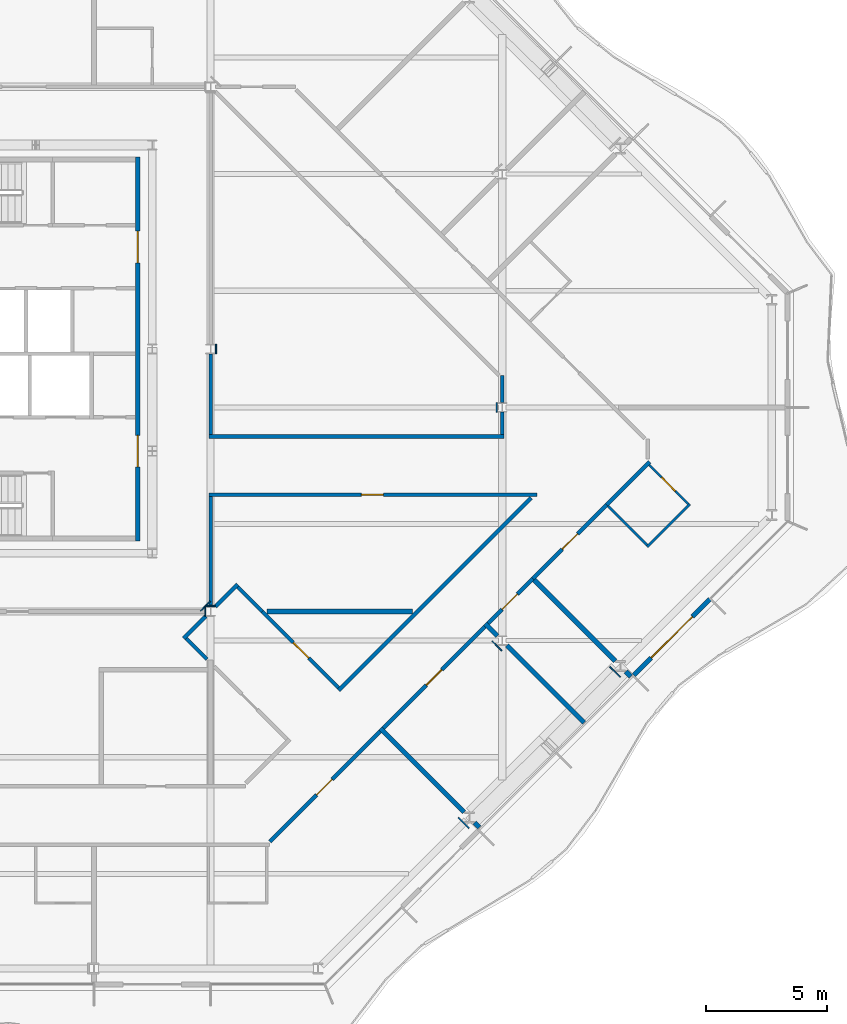
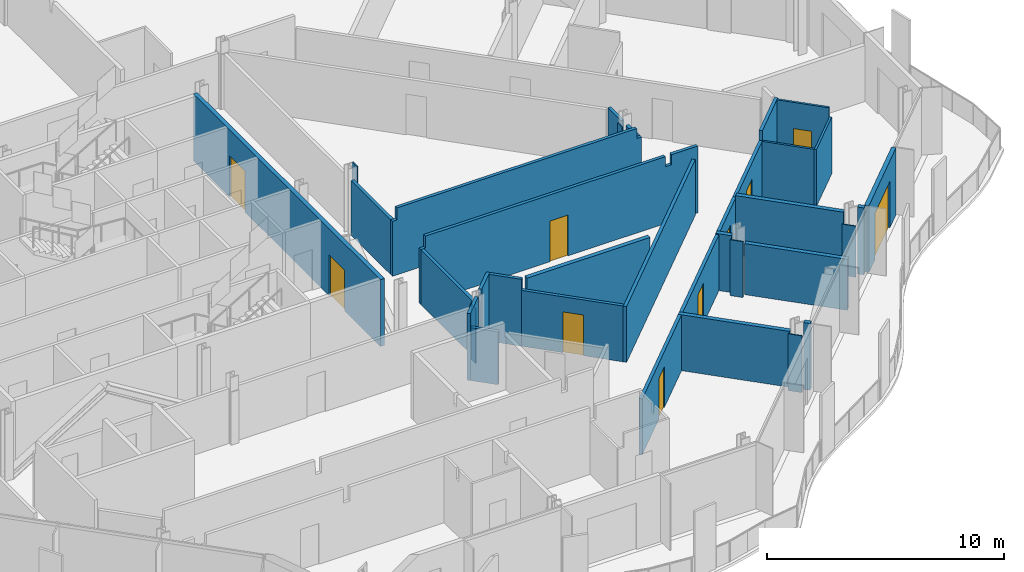
# One storey, part 9 of 17: 37 walls, 10 doors, 10 openings.
"""IFC4 building model written with IfcOpenShell, lengths in metres."""

from ifc_helpers import new_model, si_unit, direction, frame, frame_2d, origin, place, context, subcontext, project, spatial, polyline, rectangle, outline, extrude, material, layer, layer_set, type_object, element, fill, save


model = new_model("IFC4")

# Units and contexts
model_context = context("Model", 3, precision=1e-05, world=origin(), true_north=direction((0.0, 1.0)))
body_context = subcontext(model_context, "Body", "Model", "MODEL_VIEW")
ifc_project = project(units=[si_unit("LENGTHUNIT", "METRE"), si_unit("AREAUNIT", "SQUARE_METRE"), si_unit("VOLUMEUNIT", "CUBIC_METRE"), si_unit("PLANEANGLEUNIT", "RADIAN"), si_unit("MASSUNIT", "GRAM", prefix="KILO")], contexts=[model_context])

# Site, building, storey
site_placement = place(None, origin())
site = spatial("IfcSite", under=ifc_project, at=site_placement, CompositionType="ELEMENT")
building_placement = place(site_placement, origin())
building = spatial("IfcBuilding", under=site, at=building_placement, Name="Cairn Pilgrim Tower", CompositionType="ELEMENT")
storey_placement = place(building_placement, frame((0.0, 0.0, 232.199951171875)))
storey = spatial("IfcBuildingStorey", under=building, at=storey_placement, Name="L59", CompositionType="ELEMENT", Elevation=232.199951171875)

# Wall, opening, door
ifc_material_1 = material(Name="Bronze anodised aluminium insulated sandwich panel with mineral wool fill", Category="aluminium")
ifc_layer_1 = layer(ifc_material_1, 0.199951171875)
ifc_layer_set_1 = layer_set([ifc_layer_1], Name="BRONZE INFILL FRAME WALL 200")
wall_type_1 = type_object("IfcWallType", Name="BRONZE INFILL FRAME WALL 200", PredefinedType="NOTDEFINED", material=ifc_layer_set_1)
wall_1_placement = place(storey_placement, frame((36.6201171875, -11.0263671875, 0.0), z_axis=(0.0, 0.0, 1.0), x_axis=(0.707106781187, 0.707106781187, 0.0)))
wall_1 = element("IfcWall", 1, at=wall_1_placement, inside=storey, type_object=wall_type_1, Name="Bronze infill frame wall IW-SE5", PredefinedType="NOTDEFINED", context=body_context, shape_type="SweptSolid", body=[
    extrude(rectangle(XDim=4.430908203125, YDim=0.199951171875, at=frame_2d((2.21533203125, 0.0))), origin(), (0.0, 0.0, 1.0), 3.449951171875),
])
opening_1_placement = place(wall_1_placement, frame((1.01513671875, 0.0, 0.0)))
opening_1 = element("IfcOpeningElement", 2, at=opening_1_placement, cuts=wall_1, Name="Opening 5904B2", PredefinedType="OPENING", context=body_context, shape_type="SweptSolid", body=[
    extrude(rectangle(XDim=2.39990234375, YDim=2.39990234375, at=frame_2d((1.199951171875, 1.199951171875))), frame((0.0, 0.10986328125, 0.0), z_axis=(0.0, -1.0, 0.0), x_axis=(1.0, 0.0, 0.0)), (0.0, 0.0, 1.0), 0.219970703125),
])
ifc_material_2 = material(Name="Bronze anodised aluminium frame with tinted low-E glass", Category="aluminium")
door_type_1 = type_object("IfcDoorType", Name="BALCONY SLIDING DOOR 2400x2400", OperationType="DOUBLE_DOOR_SLIDING", PredefinedType="DOOR", material=ifc_material_2)
door_1_placement = place(opening_1_placement, origin())
door_1 = element("IfcDoor", 3, at=door_1_placement, inside=storey, type_object=door_type_1, Name="Balcony sliding door 5904B2", OperationType="SINGLE_SWING_LEFT", OverallHeight=2.39990234375, OverallWidth=2.39990234375, PredefinedType="DOOR", context=body_context, shape_type="SweptSolid", body=[
    extrude(rectangle(XDim=2.39990234375, YDim=2.39990234375, at=frame_2d((1.199951171875, 1.199951171875))), frame((0.0, 0.02490234375, 0.0), z_axis=(0.0, -1.0, 0.0), x_axis=(1.0, 0.0, 0.0)), (0.0, 0.0, 1.0), 0.050048828125),
])
fill(opening_1, door_1)

# Wall, openings, doors
ifc_material_3 = material(Name="Concrete C32/40", Category="concrete")
ifc_layer_2 = layer(ifc_material_3, 0.199951171875)
ifc_layer_set_2 = layer_set([ifc_layer_2], Name="CORE OUTER WALL 200 EI 120")
wall_type_2 = type_object("IfcWallType", Name="CORE OUTER WALL 200 EI 120", PredefinedType="SOLIDWALL", material=ifc_layer_set_2)
wall_2_placement = place(storey_placement, frame((16.199951171875, -5.5, 0.0), z_axis=(0.0, 0.0, 1.0), x_axis=(0.0, 1.0, 0.0)))
wall_2 = element("IfcWall", 4, at=wall_2_placement, inside=storey, type_object=wall_type_2, Name="CW:L59:V30", PredefinedType="SOLIDWALL", context=body_context, shape_type="SweptSolid", body=[
    extrude(rectangle(XDim=15.800048828125, YDim=0.199951171875, at=frame_2d((7.89990234375, 0.0))), origin(), (0.0, 0.0, 1.0), 3.449951171875),
])
opening_2_placement = place(wall_2_placement, frame((3.050048828125, 0.0, 0.0)))
opening_2 = element("IfcOpeningElement", 5, at=opening_2_placement, cuts=wall_2, Name="Opening CD-E1", PredefinedType="OPENING", context=body_context, shape_type="SweptSolid", body=[
    extrude(rectangle(XDim=1.300048828125, YDim=2.10009765625, at=frame_2d((0.64990234375, 1.050048828125))), frame((0.0, 0.10986328125, 0.0), z_axis=(0.0, -1.0, 0.0), x_axis=(1.0, 0.0, 0.0)), (0.0, 0.0, 1.0), 0.219970703125),
])
opening_3_placement = place(wall_2_placement, frame((11.449951171875, 0.0, 0.0)))
opening_3 = element("IfcOpeningElement", 6, at=opening_3_placement, cuts=wall_2, Name="Opening CD-E2", PredefinedType="OPENING", context=body_context, shape_type="SweptSolid", body=[
    extrude(rectangle(XDim=1.300048828125, YDim=2.10009765625, at=frame_2d((0.64990234375, 1.050048828125))), frame((0.0, 0.10986328125, 0.0), z_axis=(0.0, -1.0, 0.0), x_axis=(1.0, 0.0, 0.0)), (0.0, 0.0, 1.0), 0.219970703125),
])
ifc_material_4 = material(Name="Painted steel", Category="steel")
door_type_2 = type_object("IfcDoorType", Name="CORE LOBBY DOOR 1300x2100", OperationType="DOUBLE_DOOR_SINGLE_SWING", PredefinedType="DOOR", material=ifc_material_4)
door_2_placement = place(opening_2_placement, origin())
door_2 = element("IfcDoor", 7, at=door_2_placement, inside=storey, type_object=door_type_2, Name="CD-E1", OperationType="DOUBLE_DOOR_SINGLE_SWING", OverallHeight=2.10009765625, OverallWidth=1.300048828125, PredefinedType="DOOR", context=body_context, shape_type="SweptSolid", body=[
    extrude(rectangle(XDim=1.300048828125, YDim=2.10009765625, at=frame_2d((0.64990234375, 1.050048828125))), frame((0.0, 0.02490234375, 0.0), z_axis=(0.0, -1.0, 0.0), x_axis=(1.0, 0.0, 0.0)), (0.0, 0.0, 1.0), 0.050048828125),
])
fill(opening_2, door_2)
door_3_placement = place(opening_3_placement, origin())
door_3 = element("IfcDoor", 8, at=door_3_placement, inside=storey, type_object=door_type_2, Name="CD-E2", OperationType="DOUBLE_DOOR_SINGLE_SWING", OverallHeight=2.10009765625, OverallWidth=1.300048828125, PredefinedType="DOOR", context=body_context, shape_type="SweptSolid", body=[
    extrude(rectangle(XDim=1.300048828125, YDim=2.10009765625, at=frame_2d((0.64990234375, 1.050048828125))), frame((0.0, 0.02490234375, 0.0), z_axis=(0.0, -1.0, 0.0), x_axis=(1.0, 0.0, 0.0)), (0.0, 0.0, 1.0), 0.050048828125),
])
fill(opening_3, door_3)

# Walls
ifc_material_5 = material(Name="Gypsum partition")
ifc_layer_3 = layer(ifc_material_5, 0.10009765625)
ifc_layer_set_3 = layer_set([ifc_layer_3], Name="PARTITION 100 DRYWALL")
wall_type_3 = type_object("IfcWallType", Name="PARTITION 100 DRYWALL", PredefinedType="PARTITIONING", material=ifc_layer_set_3)
wall_3_placement = place(storey_placement, frame((37.16455078125, -5.673583984375, 0.0), z_axis=(0.0, 0.0, 1.0), x_axis=(-0.707106781187, 0.707106781187, 0.0)))
element("IfcWall", 9, at=wall_3_placement, inside=storey, type_object=wall_type_3, Name="PARTITION W042", PredefinedType="PARTITIONING", context=body_context, shape_type="SweptSolid", body=[
    extrude(rectangle(XDim=2.27490234375, YDim=0.10009765625, at=frame_2d((1.137451171875, 0.0))), origin(), (0.0, 0.0, 1.0), 2.929931640625),
])
wall_4_placement = place(storey_placement, frame((37.16455078125, -5.744384765625, 0.0), z_axis=(0.0, 0.0, 1.0), x_axis=(0.707155609469, 0.707057949532, 0.0)))
element("IfcWall", 10, at=wall_4_placement, inside=storey, type_object=wall_type_3, Name="PARTITION W043", PredefinedType="PARTITIONING", context=body_context, shape_type="SweptSolid", body=[
    extrude(rectangle(XDim=2.5, YDim=0.10009765625, at=frame_2d((1.25, 0.0))), origin(), (0.0, 0.0, 1.0), 2.929931640625),
])

# Wall, opening, door
wall_5_placement = place(storey_placement, frame((38.861572265625, -3.9765625, 0.0), z_axis=(0.0, 0.0, 1.0), x_axis=(-0.707106781187, 0.707106781187, 0.0)))
wall_5 = element("IfcWall", 11, at=wall_5_placement, inside=storey, type_object=wall_type_3, Name="PARTITION W045", PredefinedType="PARTITIONING", context=body_context, shape_type="SweptSolid", body=[
    extrude(rectangle(XDim=2.27490234375, YDim=0.10009765625, at=frame_2d((1.137451171875, 0.0))), origin(), (0.0, 0.0, 1.0), 3.449951171875),
])
opening_4_placement = place(wall_5_placement, frame((0.75, 0.0, 0.0)))
opening_4 = element("IfcOpeningElement", 12, at=opening_4_placement, cuts=wall_5, Name="Opening 5904A", PredefinedType="OPENING", context=body_context, shape_type="SweptSolid", body=[
    extrude(rectangle(XDim=0.800048828125, YDim=2.10009765625, at=frame_2d((0.39990234375, 1.050048828125))), frame((0.0, 0.06005859375, 0.0), z_axis=(0.0, -1.0, 0.0), x_axis=(1.0, 0.0, 0.0)), (0.0, 0.0, 1.0), 0.1201171875),
])
ifc_material_6 = material(Name="Timber door leaf", Category="wood")
door_type_3 = type_object("IfcDoorType", Name="WC DOOR 800x2100", OperationType="NOTDEFINED", PredefinedType="DOOR", material=ifc_material_6)
door_4_placement = place(opening_4_placement, frame((0.800048828125, 0.0, 0.0), z_axis=(0.0, 0.0, 1.0), x_axis=(-1.0, 0.0, 0.0)))
door_4 = element("IfcDoor", 13, at=door_4_placement, inside=storey, type_object=door_type_3, Name="DOOR 5904A", OperationType="SINGLE_SWING_LEFT", OverallHeight=2.10009765625, OverallWidth=0.800048828125, PredefinedType="DOOR", context=body_context, shape_type="SweptSolid", body=[
    extrude(rectangle(XDim=0.800048828125, YDim=2.10009765625, at=frame_2d((0.39990234375, 1.050048828125))), frame((0.0, 0.02490234375, 0.0), z_axis=(0.0, -1.0, 0.0), x_axis=(1.0, 0.0, 0.0)), (0.0, 0.0, 1.0), 0.050048828125),
])
fill(opening_4, door_4)

ifc_layer_4 = layer(ifc_material_5, 0.14990234375)
ifc_layer_set_4 = layer_set([ifc_layer_4], Name="PARTITION 150 DRYWALL EI 60")
wall_type_4 = type_object("IfcWallType", Name="PARTITION 150 DRYWALL EI 60", PredefinedType="PARTITIONING", material=ifc_layer_set_4)
wall_6_placement = place(storey_placement, frame((21.64306640625, -17.8720703125, 0.0), z_axis=(0.0, 0.0, 1.0), x_axis=(0.707106781187, 0.707106781187, 0.0)))
wall_6 = element("IfcWall", 14, at=wall_6_placement, inside=storey, type_object=wall_type_4, Name="PARTITION W009", PredefinedType="PARTITIONING", context=body_context, shape_type="SweptSolid", body=[
    extrude(rectangle(XDim=6.408203125, YDim=0.14990234375, at=frame_2d((3.2041015625, 0.0))), origin(), (0.0, 0.0, 1.0), 2.880126953125),
])
opening_5_placement = place(wall_6_placement, frame((2.713134765625, 0.0, 0.0)))
opening_5 = element("IfcOpeningElement", 15, at=opening_5_placement, cuts=wall_6, Name="Opening 5901", PredefinedType="OPENING", context=body_context, shape_type="SweptSolid", body=[
    extrude(rectangle(XDim=0.89990234375, YDim=2.10009765625, at=frame_2d((0.449951171875, 1.050048828125))), frame((0.0, 0.0849609375, 0.0), z_axis=(0.0, -1.0, 0.0), x_axis=(1.0, 0.0, 0.0)), (0.0, 0.0, 1.0), 0.169921875),
])
door_type_4 = type_object("IfcDoorType", Name="ROOM DOOR 900x2100 FD30S", OperationType="NOTDEFINED", PredefinedType="DOOR", material=ifc_material_6)
door_5_placement = place(opening_5_placement, frame((0.89990234375, 0.0, 0.0), z_axis=(0.0, 0.0, 1.0), x_axis=(-1.0, 0.0, 0.0)))
door_5 = element("IfcDoor", 16, at=door_5_placement, inside=storey, type_object=door_type_4, Name="DOOR 5901", OperationType="SINGLE_SWING_LEFT", OverallHeight=2.10009765625, OverallWidth=0.89990234375, PredefinedType="DOOR", context=body_context, shape_type="SweptSolid", body=[
    extrude(rectangle(XDim=0.89990234375, YDim=2.10009765625, at=frame_2d((0.449951171875, 1.050048828125))), frame((0.0, 0.02490234375, 0.0), z_axis=(0.0, -1.0, 0.0), x_axis=(1.0, 0.0, 0.0)), (0.0, 0.0, 1.0), 0.050048828125),
])
fill(opening_5, door_5)

wall_7_placement = place(storey_placement, frame((26.315673828125, -13.19921875, 0.0), z_axis=(0.0, 0.0, 1.0), x_axis=(0.707024001185, 0.707189551498, 0.0)))
wall_7 = element("IfcWall", 17, at=wall_7_placement, inside=storey, type_object=wall_type_4, Name="PARTITION W020", PredefinedType="PARTITIONING", context=body_context, shape_type="SweptSolid", body=[
    extrude(rectangle(XDim=5.89892578125, YDim=0.14990234375, at=frame_2d((2.949462890625, 0.0))), origin(), (0.0, 0.0, 1.0), 2.880126953125),
])
opening_6_placement = place(wall_7_placement, frame((2.499755859375, 0.0, 0.0)))
opening_6 = element("IfcOpeningElement", 18, at=opening_6_placement, cuts=wall_7, Name="Opening 5902", PredefinedType="OPENING", context=body_context, shape_type="SweptSolid", body=[
    extrude(rectangle(XDim=0.89990234375, YDim=2.10009765625, at=frame_2d((0.449951171875, 1.050048828125))), frame((0.0, 0.0849609375, 0.0), z_axis=(0.0, -1.0, 0.0), x_axis=(1.0, 0.0, 0.0)), (0.0, 0.0, 1.0), 0.169921875),
])
door_type_5 = type_object("IfcDoorType", Name="SERVICE DOOR 900x2100 FD30S", OperationType="NOTDEFINED", PredefinedType="DOOR", material=ifc_material_6)
door_6_placement = place(opening_6_placement, frame((0.89990234375, 0.0, 0.0), z_axis=(0.0, 0.0, 1.0), x_axis=(-1.0, 0.0, 0.0)))
door_6 = element("IfcDoor", 19, at=door_6_placement, inside=storey, type_object=door_type_5, Name="DOOR 5902", OperationType="SINGLE_SWING_LEFT", OverallHeight=2.10009765625, OverallWidth=0.89990234375, PredefinedType="DOOR", context=body_context, shape_type="SweptSolid", body=[
    extrude(rectangle(XDim=0.89990234375, YDim=2.10009765625, at=frame_2d((0.449951171875, 1.050048828125))), frame((0.0, 0.02490234375, 0.0), z_axis=(0.0, -1.0, 0.0), x_axis=(1.0, 0.0, 0.0)), (0.0, 0.0, 1.0), 0.050048828125),
])
fill(opening_6, door_6)

# Wall
wall_8_placement = place(storey_placement, frame((24.468017578125, -11.653076171875, 0.0), z_axis=(0.0, 0.0, 1.0), x_axis=(0.707095889299, 0.707117672906, 0.0)))
element("IfcWall", 20, at=wall_8_placement, inside=storey, type_object=wall_type_4, Name="PARTITION W023", PredefinedType="PARTITIONING", context=body_context, shape_type="SweptSolid", body=[
    extrude(rectangle(XDim=11.20751953125, YDim=0.14990234375, at=frame_2d((5.603759765625, 0.0))), origin(), (0.0, 0.0, 1.0), 2.880126953125),
])

# Wall, opening, door
wall_9_placement = place(storey_placement, frame((24.468017578125, -11.547119140625, 0.0), z_axis=(0.0, 0.0, 1.0), x_axis=(-0.707079353217, 0.707134208093, 0.0)))
wall_9 = element("IfcWall", 21, at=wall_9_placement, inside=storey, type_object=wall_type_4, Name="PARTITION W026", PredefinedType="PARTITIONING", context=body_context, shape_type="SweptSolid", body=[
    extrude(rectangle(XDim=4.45068359375, YDim=0.14990234375, at=frame_2d((2.225341796875, 0.0))), origin(), (0.0, 0.0, 1.0), 2.880126953125),
])
opening_7_placement = place(wall_9_placement, frame((1.738525390625, 0.0, 0.0)))
opening_7 = element("IfcOpeningElement", 22, at=opening_7_placement, cuts=wall_9, Name="Opening 5918", PredefinedType="OPENING", context=body_context, shape_type="SweptSolid", body=[
    extrude(rectangle(XDim=0.89990234375, YDim=2.10009765625, at=frame_2d((0.449951171875, 1.050048828125))), frame((0.0, 0.0849609375, 0.0), z_axis=(0.0, -1.0, 0.0), x_axis=(1.0, 0.0, 0.0)), (0.0, 0.0, 1.0), 0.169921875),
])
door_7_placement = place(opening_7_placement, frame((0.89990234375, 0.0, 0.0), z_axis=(0.0, 0.0, 1.0), x_axis=(-1.0, 0.0, 0.0)))
door_7 = element("IfcDoor", 23, at=door_7_placement, inside=storey, type_object=door_type_5, Name="DOOR 5918", OperationType="SINGLE_SWING_RIGHT", OverallHeight=2.10009765625, OverallWidth=0.89990234375, PredefinedType="DOOR", context=body_context, shape_type="SweptSolid", body=[
    extrude(rectangle(XDim=0.89990234375, YDim=2.10009765625, at=frame_2d((0.449951171875, 1.050048828125))), frame((0.0, 0.02490234375, 0.0), z_axis=(0.0, -1.0, 0.0), x_axis=(1.0, 0.0, 0.0)), (0.0, 0.0, 1.0), 0.050048828125),
])
fill(opening_7, door_7)

# Walls
wall_10_placement = place(storey_placement, frame((19.047119140625, -10.3681640625, 0.0), z_axis=(0.0, 0.0, 1.0), x_axis=(-0.707409718716, 0.706803713817, 0.0)))
element("IfcWall", 24, at=wall_10_placement, inside=storey, type_object=wall_type_4, Name="PARTITION W029", PredefinedType="PARTITIONING", context=body_context, shape_type="SweptSolid", body=[
    extrude(rectangle(XDim=1.20849609375, YDim=0.14990234375, at=frame_2d((0.604248046875, 0.0))), origin(), (0.0, 0.0, 1.0), 2.72998046875),
])
wall_11_placement = place(storey_placement, frame((18.0859375, -9.513916015625, 0.0), z_axis=(0.0, 0.0, 1.0), x_axis=(0.707106781187, 0.707106781187, 0.0)))
element("IfcWall", 25, at=wall_11_placement, inside=storey, type_object=wall_type_4, Name="PARTITION W031", PredefinedType="PARTITIONING", context=body_context, shape_type="SweptSolid", body=[
    extrude(rectangle(XDim=1.29541015625, YDim=0.14990234375, at=frame_2d((0.647705078125, 0.0))), origin(), (0.0, 0.0, 1.0), 3.449951171875),
])

# Wall, opening, door
wall_12_placement = place(storey_placement, frame((30.627685546875, -8.88623046875, 0.0), z_axis=(0.0, 0.0, 1.0), x_axis=(0.707106781187, 0.707106781187, 0.0)))
wall_12 = element("IfcWall", 26, at=wall_12_placement, inside=storey, type_object=wall_type_4, Name="PARTITION W033", PredefinedType="PARTITIONING", context=body_context, shape_type="SweptSolid", body=[
    extrude(rectangle(XDim=2.60400390625, YDim=0.14990234375, at=frame_2d((1.302001953125, 0.0))), origin(), (0.0, 0.0, 1.0), 2.929931640625),
])
opening_8_placement = place(wall_12_placement, frame((0.802001953125, 0.0, 0.0)))
opening_8 = element("IfcOpeningElement", 27, at=opening_8_placement, cuts=wall_12, Name="Opening 5903", PredefinedType="OPENING", context=body_context, shape_type="SweptSolid", body=[
    extrude(rectangle(XDim=0.89990234375, YDim=2.10009765625, at=frame_2d((0.449951171875, 1.050048828125))), frame((0.0, 0.0849609375, 0.0), z_axis=(0.0, -1.0, 0.0), x_axis=(1.0, 0.0, 0.0)), (0.0, 0.0, 1.0), 0.169921875),
])
door_8_placement = place(opening_8_placement, frame((0.89990234375, 0.0, 0.0), z_axis=(0.0, 0.0, 1.0), x_axis=(-1.0, 0.0, 0.0)))
door_8 = element("IfcDoor", 28, at=door_8_placement, inside=storey, type_object=door_type_5, Name="DOOR 5903", OperationType="SINGLE_SWING_LEFT", OverallHeight=2.10009765625, OverallWidth=0.89990234375, PredefinedType="DOOR", context=body_context, shape_type="SweptSolid", body=[
    extrude(rectangle(XDim=0.89990234375, YDim=2.10009765625, at=frame_2d((0.449951171875, 1.050048828125))), frame((0.0, 0.02490234375, 0.0), z_axis=(0.0, -1.0, 0.0), x_axis=(1.0, 0.0, 0.0)), (0.0, 0.0, 1.0), 0.050048828125),
])
fill(opening_8, door_8)

# Walls
wall_13_placement = place(storey_placement, frame((21.321044921875, -8.39990234375, 0.0), z_axis=(0.0, 0.0, 1.0), x_axis=(-0.706763941595, 0.707449454633, 0.0)))
element("IfcWall", 29, at=wall_13_placement, inside=storey, type_object=wall_type_4, Name="PARTITION W036", PredefinedType="PARTITIONING", context=body_context, shape_type="SweptSolid", body=[
    extrude(rectangle(XDim=1.424560546875, YDim=0.14990234375, at=frame_2d((0.71240234375, 0.0))), origin(), (0.0, 0.0, 1.0), 3.449951171875),
])
wall_14_placement = place(storey_placement, frame((19.199951171875, -8.20361328125, 0.0), z_axis=(0.0, 0.0, 1.0), x_axis=(0.0, 1.0, 0.0)))
element("IfcWall", 30, at=wall_14_placement, inside=storey, type_object=wall_type_4, Name="PARTITION W039", PredefinedType="PARTITIONING", context=body_context, shape_type="SweptSolid", body=[
    extrude(rectangle(XDim=4.528564453125, YDim=0.14990234375, at=frame_2d((2.26416015625, 0.0))), origin(), (0.0, 0.0, 1.0), 2.830078125),
])
wall_15_placement = place(storey_placement, frame((19.39794921875, -8.201904296875, 0.0), z_axis=(0.0, 0.0, 1.0), x_axis=(0.707200993001, 0.707012556818, 0.0)))
element("IfcWall", 31, at=wall_15_placement, inside=storey, type_object=wall_type_4, Name="PARTITION W040", PredefinedType="PARTITIONING", context=body_context, shape_type="SweptSolid", body=[
    extrude(rectangle(XDim=1.295654296875, YDim=0.14990234375, at=frame_2d((0.64794921875, 0.0))), origin(), (0.0, 0.0, 1.0), 3.449951171875),
])

# Wall, opening, door
wall_16_placement = place(storey_placement, frame((32.468994140625, -7.044921875, 0.0), z_axis=(0.0, 0.0, 1.0), x_axis=(0.70722059203, 0.706992952022, 0.0)))
wall_16 = element("IfcWall", 32, at=wall_16_placement, inside=storey, type_object=wall_type_4, Name="PARTITION W041", PredefinedType="PARTITIONING", context=body_context, shape_type="SweptSolid", body=[
    extrude(rectangle(XDim=4.2900390625, YDim=0.14990234375, at=frame_2d((2.14501953125, 0.0))), origin(), (0.0, 0.0, 1.0), 2.929931640625),
])
opening_9_placement = place(wall_16_placement, frame((1.695068359375, 0.0, 0.0)))
opening_9 = element("IfcOpeningElement", 33, at=opening_9_placement, cuts=wall_16, Name="Opening 5904", PredefinedType="OPENING", context=body_context, shape_type="SweptSolid", body=[
    extrude(rectangle(XDim=0.89990234375, YDim=2.10009765625, at=frame_2d((0.449951171875, 1.050048828125))), frame((0.0, 0.0849609375, 0.0), z_axis=(0.0, -1.0, 0.0), x_axis=(1.0, 0.0, 0.0)), (0.0, 0.0, 1.0), 0.169921875),
])
door_9_placement = place(opening_9_placement, frame((0.89990234375, 0.0, 0.0), z_axis=(0.0, 0.0, 1.0), x_axis=(-1.0, 0.0, 0.0)))
door_9 = element("IfcDoor", 34, at=door_9_placement, inside=storey, type_object=door_type_4, Name="DOOR 5904", OperationType="SINGLE_SWING_LEFT", OverallHeight=2.10009765625, OverallWidth=0.89990234375, PredefinedType="DOOR", context=body_context, shape_type="SweptSolid", body=[
    extrude(rectangle(XDim=0.89990234375, YDim=2.10009765625, at=frame_2d((0.449951171875, 1.050048828125))), frame((0.0, 0.02490234375, 0.0), z_axis=(0.0, -1.0, 0.0), x_axis=(1.0, 0.0, 0.0)), (0.0, 0.0, 1.0), 0.050048828125),
])
fill(opening_9, door_9)

# Wall
wall_17_placement = place(storey_placement, frame((35.5029296875, -4.011962890625, 0.0), z_axis=(0.0, 0.0, 1.0), x_axis=(0.707106781187, 0.707106781187, 0.0)))
element("IfcWall", 35, at=wall_17_placement, inside=storey, type_object=wall_type_4, Name="PARTITION W044", PredefinedType="PARTITIONING", context=body_context, shape_type="SweptSolid", body=[
    extrude(rectangle(XDim=2.505859375, YDim=0.14990234375, at=frame_2d((1.2529296875, 0.0))), origin(), (0.0, 0.0, 1.0), 3.449951171875),
])

# Wall, opening, door
wall_18_placement = place(storey_placement, frame((19.125, -3.60009765625, 0.0), z_axis=(0.0, 0.0, 1.0), x_axis=(1.0, 0.0, 0.0)))
wall_18 = element("IfcWall", 36, at=wall_18_placement, inside=storey, type_object=wall_type_4, Name="PARTITION W046", PredefinedType="PARTITIONING", context=body_context, shape_type="SweptSolid", body=[
    extrude(outline(polyline([(0.0, 0.0), (13.502197265625, 0.0), (13.502197265625, 3.449951171875), (12.22509765625, 3.449951171875), (12.222900390625, 2.929931640625), (11.925048828125, 2.929931640625), (11.923095703125, 3.449951171875), (0.22509765625, 3.449951171875), (0.222900390625, 2.830078125), (0.0, 2.830078125), (0.0, 0.0)])), frame((0.0, 0.074951171875, 0.0), z_axis=(0.0, -1.0, 0.0), x_axis=(1.0, 0.0, 0.0)), (0.0, 0.0, 1.0), 0.14990234375),
])
opening_10_placement = place(wall_18_placement, frame((6.285888671875, 0.0, 0.0)))
opening_10 = element("IfcOpeningElement", 37, at=opening_10_placement, cuts=wall_18, Name="Opening 5919", PredefinedType="OPENING", context=body_context, shape_type="SweptSolid", body=[
    extrude(rectangle(XDim=0.89990234375, YDim=2.10009765625, at=frame_2d((0.449951171875, 1.050048828125))), frame((0.0, 0.0849609375, 0.0), z_axis=(0.0, -1.0, 0.0), x_axis=(1.0, 0.0, 0.0)), (0.0, 0.0, 1.0), 0.169921875),
])
door_10_placement = place(opening_10_placement, frame((0.89990234375, 0.0, 0.0), z_axis=(0.0, 0.0, 1.0), x_axis=(-1.0, 0.0, 0.0)))
door_10 = element("IfcDoor", 38, at=door_10_placement, inside=storey, type_object=door_type_5, Name="DOOR 5919", OperationType="SINGLE_SWING_RIGHT", OverallHeight=2.10009765625, OverallWidth=0.89990234375, PredefinedType="DOOR", context=body_context, shape_type="SweptSolid", body=[
    extrude(rectangle(XDim=0.89990234375, YDim=2.10009765625, at=frame_2d((0.449951171875, 1.050048828125))), frame((0.0, 0.02490234375, 0.0), z_axis=(0.0, -1.0, 0.0), x_axis=(1.0, 0.0, 0.0)), (0.0, 0.0, 1.0), 0.050048828125),
])
fill(opening_10, door_10)

# Walls
wall_19_placement = place(storey_placement, frame((19.125, -1.199951171875, 0.0), z_axis=(0.0, 0.0, 1.0), x_axis=(1.0, 0.0, 0.0)))
element("IfcWall", 39, at=wall_19_placement, inside=storey, type_object=wall_type_4, Name="PARTITION W051", PredefinedType="PARTITIONING", context=body_context, shape_type="SweptSolid", body=[
    extrude(outline(polyline([(0.0, 0.0), (12.14990234375, 0.0), (12.14990234375, 2.929931640625), (11.925048828125, 2.929931640625), (11.923095703125, 3.449951171875), (0.22509765625, 3.449951171875), (0.222900390625, 2.830078125), (0.0, 2.830078125), (0.0, 0.0)])), frame((0.0, 0.074951171875, 0.0), z_axis=(0.0, -1.0, 0.0), x_axis=(1.0, 0.0, 0.0)), (0.0, 0.0, 1.0), 0.14990234375),
])
wall_20_placement = place(storey_placement, frame((19.199951171875, -1.125, 0.0), z_axis=(0.0, 0.0, 1.0), x_axis=(0.0, 1.0, 0.0)))
element("IfcWall", 40, at=wall_20_placement, inside=storey, type_object=wall_type_4, Name="PARTITION W052", PredefinedType="PARTITIONING", context=body_context, shape_type="SweptSolid", body=[
    extrude(rectangle(XDim=3.32861328125, YDim=0.14990234375, at=frame_2d((1.664306640625, 0.0))), origin(), (0.0, 0.0, 1.0), 2.830078125),
])
wall_21_placement = place(storey_placement, frame((31.199951171875, -1.125, 0.0), z_axis=(0.0, 0.0, 1.0), x_axis=(0.0, 1.0, 0.0)))
element("IfcWall", 41, at=wall_21_placement, inside=storey, type_object=wall_type_4, Name="PARTITION W053", PredefinedType="PARTITIONING", context=body_context, shape_type="SweptSolid", body=[
    extrude(rectangle(XDim=0.928466796875, YDim=0.14990234375, at=frame_2d((0.46435546875, 0.0))), origin(), (0.0, 0.0, 1.0), 2.929931640625),
])
wall_22_placement = place(storey_placement, frame((31.199951171875, 0.196533203125, 0.0), z_axis=(0.0, 0.0, 1.0), x_axis=(0.0, 1.0, 0.0)))
element("IfcWall", 42, at=wall_22_placement, inside=storey, type_object=wall_type_4, Name="PARTITION W056", PredefinedType="PARTITIONING", context=body_context, shape_type="SweptSolid", body=[
    extrude(rectangle(XDim=1.109619140625, YDim=0.14990234375, at=frame_2d((0.5546875, 0.0))), origin(), (0.0, 0.0, 1.0), 2.929931640625),
])
ifc_layer_5 = layer(ifc_material_5, 0.050048828125)
ifc_layer_set_5 = layer_set([ifc_layer_5], Name="PARTITION 50 DRYWALL EI 60")
wall_type_5 = type_object("IfcWallType", Name="PARTITION 50 DRYWALL EI 60", PredefinedType="PARTITIONING", material=ifc_layer_set_5)
wall_23_placement = place(storey_placement, frame((29.833984375, -17.324462890625, 0.0), z_axis=(0.0, 0.0, 1.0), x_axis=(-0.707106781187, 0.707106781187, 0.0)))
element("IfcWall", 43, at=wall_23_placement, inside=storey, type_object=wall_type_5, Name="COLUMN CASING WC02", PredefinedType="PARTITIONING", context=body_context, shape_type="SweptSolid", body=[
    extrude(rectangle(XDim=0.60986328125, YDim=0.050048828125, at=frame_2d((0.304931640625, 0.0))), origin(), (0.0, 0.0, 1.0), 2.929931640625),
])
wall_24_placement = place(storey_placement, frame((31.182373046875, -10.013671875, 0.0), z_axis=(0.0, 0.0, 1.0), x_axis=(-0.707106781187, 0.707106781187, 0.0)))
element("IfcWall", 44, at=wall_24_placement, inside=storey, type_object=wall_type_5, Name="COLUMN CASING WC06", PredefinedType="PARTITIONING", context=body_context, shape_type="SweptSolid", body=[
    extrude(rectangle(XDim=0.56005859375, YDim=0.050048828125, at=frame_2d((0.280029296875, 0.0))), origin(), (0.0, 0.0, 1.0), 2.880126953125),
])
wall_25_placement = place(storey_placement, frame((36.05810546875, -11.10009765625, 0.0), z_axis=(0.0, 0.0, 1.0), x_axis=(-0.707307009627, 0.706906496032, 0.0)))
element("IfcWall", 45, at=wall_25_placement, inside=storey, type_object=wall_type_5, Name="COLUMN CASING WC07", PredefinedType="PARTITIONING", context=body_context, shape_type="SweptSolid", body=[
    extrude(rectangle(XDim=0.609619140625, YDim=0.050048828125, at=frame_2d((0.3046875, 0.0))), origin(), (0.0, 0.0, 1.0), 2.630126953125),
])
wall_26_placement = place(storey_placement, frame((18.786376953125, -8.38232421875, 0.0), z_axis=(0.0, 0.0, 1.0), x_axis=(0.707106781187, 0.707106781187, 0.0)))
element("IfcWall", 46, at=wall_26_placement, inside=storey, type_object=wall_type_5, Name="COLUMN CASING WC08", PredefinedType="PARTITIONING", context=body_context, shape_type="SweptSolid", body=[
    extrude(rectangle(XDim=0.56005859375, YDim=0.050048828125, at=frame_2d((0.280029296875, 0.0))), origin(), (0.0, 0.0, 1.0), 2.830078125),
])
wall_27_placement = place(storey_placement, frame((19.00048828125, -8.178466796875, 0.0), z_axis=(0.0, 0.0, 1.0), x_axis=(1.0, 0.0, 0.0)))
element("IfcWall", 47, at=wall_27_placement, inside=storey, type_object=wall_type_5, Name="COLUMN CASING WC10", PredefinedType="PARTITIONING", context=body_context, shape_type="SweptSolid", body=[
    extrude(rectangle(XDim=0.39892578125, YDim=0.050048828125, at=frame_2d((0.199462890625, 0.0))), origin(), (0.0, 0.0, 1.0), 2.830078125),
])
wall_28_placement = place(storey_placement, frame((18.9755859375, -8.596435546875, 0.0), z_axis=(0.0, 0.0, 1.0), x_axis=(0.0, 1.0, 0.0)))
element("IfcWall", 48, at=wall_28_placement, inside=storey, type_object=wall_type_5, Name="COLUMN CASING WC11", PredefinedType="PARTITIONING", context=body_context, shape_type="SweptSolid", body=[
    extrude(rectangle(XDim=0.392822265625, YDim=0.050048828125, at=frame_2d((0.1962890625, 0.0))), origin(), (0.0, 0.0, 1.0), 2.830078125),
])
wall_29_placement = place(storey_placement, frame((19.424560546875, 2.20361328125, 0.0), z_axis=(0.0, 0.0, 1.0), x_axis=(0.0, 1.0, 0.0)))
element("IfcWall", 49, at=wall_29_placement, inside=storey, type_object=wall_type_5, Name="COLUMN CASING WC12", PredefinedType="PARTITIONING", context=body_context, shape_type="SweptSolid", body=[
    extrude(rectangle(XDim=0.392822265625, YDim=0.050048828125, at=frame_2d((0.1962890625, 0.0))), origin(), (0.0, 0.0, 1.0), 3.449951171875),
])
wall_30_placement = place(storey_placement, frame((30.9755859375, -0.196533203125, 0.0), z_axis=(0.0, 0.0, 1.0), x_axis=(0.0, 1.0, 0.0)))
element("IfcWall", 50, at=wall_30_placement, inside=storey, type_object=wall_type_5, Name="COLUMN CASING WC14", PredefinedType="PARTITIONING", context=body_context, shape_type="SweptSolid", body=[
    extrude(rectangle(XDim=0.39306640625, YDim=0.050048828125, at=frame_2d((0.196533203125, 0.0))), origin(), (0.0, 0.0, 1.0), 2.880126953125),
])
ifc_layer_6 = layer(ifc_material_5, 0.199951171875)
ifc_layer_set_6 = layer_set([ifc_layer_6], Name="SHAFT WALL 200 GYPSUM EI 60")
wall_type_6 = type_object("IfcWallType", Name="SHAFT WALL 200 GYPSUM EI 60", PredefinedType="PARTITIONING", material=ifc_layer_set_6)
wall_31_placement = place(storey_placement, frame((30.268798828125, -17.292724609375, 0.0), z_axis=(0.0, 0.0, 1.0), x_axis=(-0.707534941396, 0.706678361564, 0.0)))
element("IfcWall", 51, at=wall_31_placement, inside=storey, type_object=wall_type_6, Name="PARTITION W010", PredefinedType="PARTITIONING", context=body_context, shape_type="SweptSolid", body=[
    extrude(rectangle(XDim=0.284912109375, YDim=0.199951171875, at=frame_2d((0.142578125, 0.0))), origin(), (0.0, 0.0, 1.0), 3.449951171875),
])
wall_32_placement = place(storey_placement, frame((29.635986328125, -16.66015625, 0.0), z_axis=(0.0, 0.0, 1.0), x_axis=(-0.707207037357, 0.707006510799, 0.0)))
element("IfcWall", 52, at=wall_32_placement, inside=storey, type_object=wall_type_6, Name="PARTITION W011", PredefinedType="PARTITIONING", context=body_context, shape_type="SweptSolid", body=[
    extrude(rectangle(XDim=4.869873046875, YDim=0.199951171875, at=frame_2d((2.43505859375, 0.0))), origin(), (0.0, 0.0, 1.0), 2.880126953125),
])
wall_33_placement = place(storey_placement, frame((34.580810546875, -12.980712890625, 0.0), z_axis=(0.0, 0.0, 1.0), x_axis=(-0.707133900936, 0.707079660397, 0.0)))
element("IfcWall", 53, at=wall_33_placement, inside=storey, type_object=wall_type_6, Name="PARTITION W021", PredefinedType="PARTITIONING", context=body_context, shape_type="SweptSolid", body=[
    extrude(rectangle(XDim=4.5009765625, YDim=0.199951171875, at=frame_2d((2.25048828125, 0.0))), origin(), (0.0, 0.0, 1.0), 2.630126953125),
])
wall_34_placement = place(storey_placement, frame((36.492919921875, -11.06884765625, 0.0), z_axis=(0.0, 0.0, 1.0), x_axis=(-0.707534423513, 0.706678880075, 0.0)))
element("IfcWall", 54, at=wall_34_placement, inside=storey, type_object=wall_type_6, Name="PARTITION W027", PredefinedType="PARTITIONING", context=body_context, shape_type="SweptSolid", body=[
    extrude(rectangle(XDim=0.285400390625, YDim=0.199951171875, at=frame_2d((0.142578125, 0.0))), origin(), (0.0, 0.0, 1.0), 3.449951171875),
])
wall_35_placement = place(storey_placement, frame((35.860107421875, -10.43603515625, 0.0), z_axis=(0.0, 0.0, 1.0), x_axis=(-0.707106781187, 0.707106781187, 0.0)))
element("IfcWall", 55, at=wall_35_placement, inside=storey, type_object=wall_type_6, Name="PARTITION W030", PredefinedType="PARTITIONING", context=body_context, shape_type="SweptSolid", body=[
    extrude(rectangle(XDim=4.720947265625, YDim=0.199951171875, at=frame_2d((2.3603515625, 0.0))), origin(), (0.0, 0.0, 1.0), 3.070068359375),
])
wall_36_placement = place(storey_placement, frame((31.001953125, -9.402099609375, 0.0), z_axis=(0.0, 0.0, 1.0), x_axis=(-0.707106781187, 0.707106781187, 0.0)))
element("IfcWall", 56, at=wall_36_placement, inside=storey, type_object=wall_type_6, Name="PARTITION W032", PredefinedType="PARTITIONING", context=body_context, shape_type="SweptSolid", body=[
    extrude(rectangle(XDim=0.704345703125, YDim=0.199951171875, at=frame_2d((0.35205078125, 0.0))), origin(), (0.0, 0.0, 1.0), 2.929931640625),
])
wall_37_placement = place(storey_placement, frame((21.52685546875, -8.39990234375, 0.0), z_axis=(0.0, 0.0, 1.0), x_axis=(1.0, 0.0, 0.0)))
element("IfcWall", 57, at=wall_37_placement, inside=storey, type_object=wall_type_6, Name="PARTITION W037", PredefinedType="PARTITIONING", context=body_context, shape_type="SweptSolid", body=[
    extrude(rectangle(XDim=5.988037109375, YDim=0.199951171875, at=frame_2d((2.994140625, 0.0))), origin(), (0.0, 0.0, 1.0), 3.449951171875),
])

save(model, "model.ifc")
